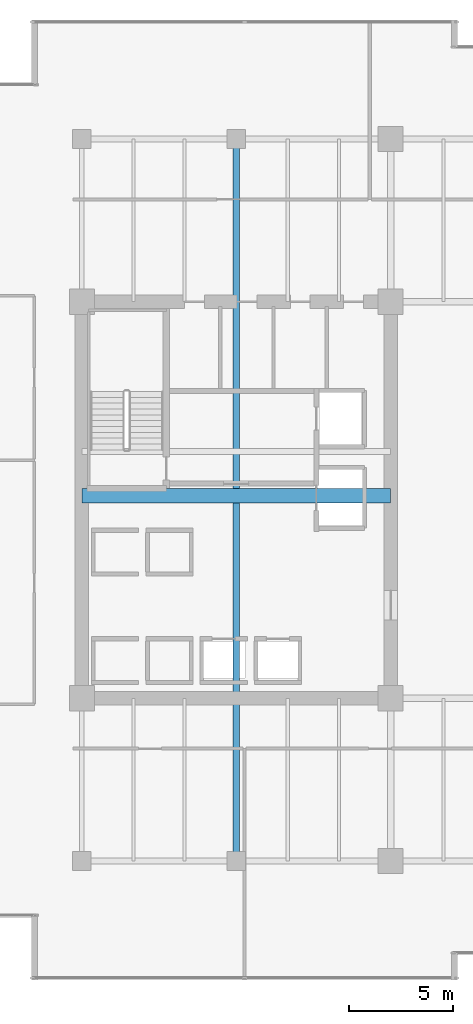
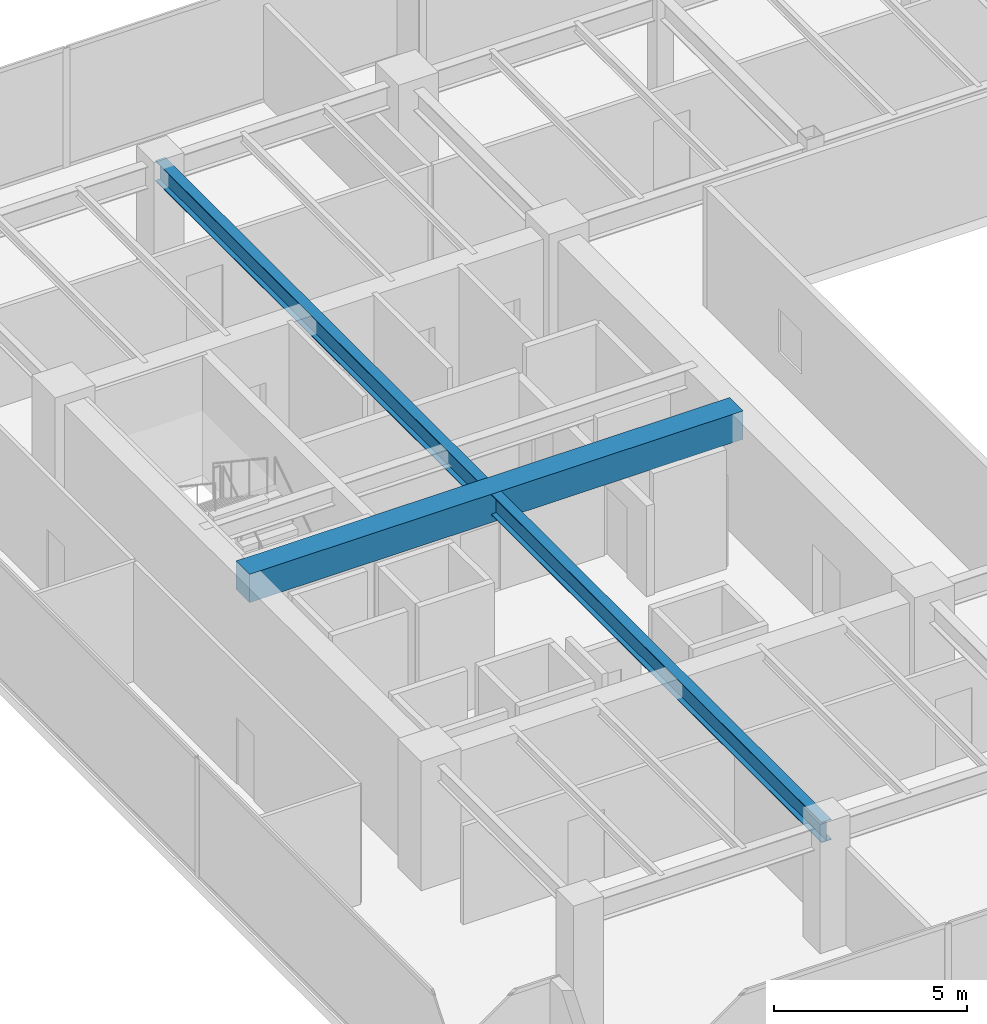
# One storey, part 7 of 30: 2 beams.
"""IFC4 building model written with IfcOpenShell, lengths in metres."""

from ifc_helpers import new_model, si_unit, direction, frame, origin, origin_2d, place, context, subcontext, project, spatial, rectangle, i_section, extrude, source, transform, mapped, material, material_profile, profile_set, type_object, type_shapes, element, save


model = new_model("IFC4")

# Units and contexts
model_context = context("Model", 3, precision=1e-05, world=origin(), true_north=direction((0.0, 1.0)))
body_context = subcontext(model_context, "Body", "Model", "MODEL_VIEW")
ifc_project = project(units=[si_unit("LENGTHUNIT", "METRE"), si_unit("AREAUNIT", "SQUARE_METRE"), si_unit("VOLUMEUNIT", "CUBIC_METRE"), si_unit("PLANEANGLEUNIT", "RADIAN"), si_unit("MASSUNIT", "GRAM", prefix="KILO")], contexts=[model_context])

# Site, building, storey
site_placement = place(None, origin())
site = spatial("IfcSite", under=ifc_project, at=site_placement, CompositionType="ELEMENT")
building_placement = place(site_placement, origin())
building = spatial("IfcBuilding", under=site, at=building_placement, Name="Haelvirn Gate Laboratories", CompositionType="ELEMENT")
storey_placement = place(building_placement, frame((0.0, 0.0, 105.10009765625)))
storey = spatial("IfcBuildingStorey", under=building, at=storey_placement, Name="L25", CompositionType="ELEMENT", Elevation=105.10009765625)

# Beams
ifc_material_1 = material(Name="Concrete C60/75", Category="concrete")
ifc_material_profile_1 = material_profile(ifc_material_1, rectangle(XDim=0.699951171875, YDim=0.89990234375, at=origin_2d()), Name="RCB-700x900")
ifc_profile_set_1 = profile_set([ifc_material_profile_1], Name="Concrete C60/75")
beam_type_1 = type_object("IfcBeamType", Name="BM-RCB-900", PredefinedType="LINTEL", material=ifc_profile_set_1)
shared_shape_1 = source(origin(), body_context, "Body", "SweptSolid", [
    extrude(rectangle(XDim=0.699951171875, YDim=0.89990234375, at=origin_2d()), origin(), (0.0, 0.0, 1.0), 14.800048828125),
])
type_shapes(beam_type_1, [shared_shape_1])
beam_1_placement = place(storey_placement, frame((7.39990234375, 24.5, 3.33984375), z_axis=(1.0, 0.0, 0.0), x_axis=(0.0, 1.0, 0.0)))
element("IfcBeam", 1, at=beam_1_placement, inside=storey, type_object=beam_type_1, Name="L25 West Core Coupling Beam", PredefinedType="LINTEL", context=body_context, shape_type="MappedRepresentation", body=[
    mapped(shared_shape_1, transform((0.0, 0.0, 0.0), scale=1.0)),
])
ifc_material_2 = material(Name="Steel SM355", Category="steel")
ifc_material_profile_2 = material_profile(ifc_material_2, i_section(OverallWidth=0.300048828125, OverallDepth=0.64990234375, WebThickness=0.012939453125, FlangeThickness=0.02197265625, at=origin_2d()), Name="H-650x300x13x22")
ifc_profile_set_2 = profile_set([ifc_material_profile_2], Name="Steel SM355")
beam_type_2 = type_object("IfcBeamType", Name="BM-G-650", PredefinedType="BEAM", material=ifc_profile_set_2)
shared_shape_2 = source(origin(), body_context, "Body", "SweptSolid", [
    extrude(i_section(OverallWidth=0.300048828125, OverallDepth=0.64990234375, WebThickness=0.012939453125, FlangeThickness=0.02197265625, at=origin_2d()), origin(), (0.0, 0.0, 1.0), 34.60009765625),
])
type_shapes(beam_type_2, [shared_shape_2])
beam_2_placement = place(storey_placement, frame((14.800048828125, 7.0, 3.46484375), z_axis=(0.0, 1.0, 0.0), x_axis=(-1.0, 0.0, 0.0)))
element("IfcBeam", 2, at=beam_2_placement, inside=storey, type_object=beam_type_2, Name="L25 Frame Girder X14.8 (7.0-41.6)", PredefinedType="BEAM", context=body_context, shape_type="MappedRepresentation", body=[
    mapped(shared_shape_2, transform((0.0, 0.0, 0.0), scale=1.0)),
])

save(model, "model.ifc")
